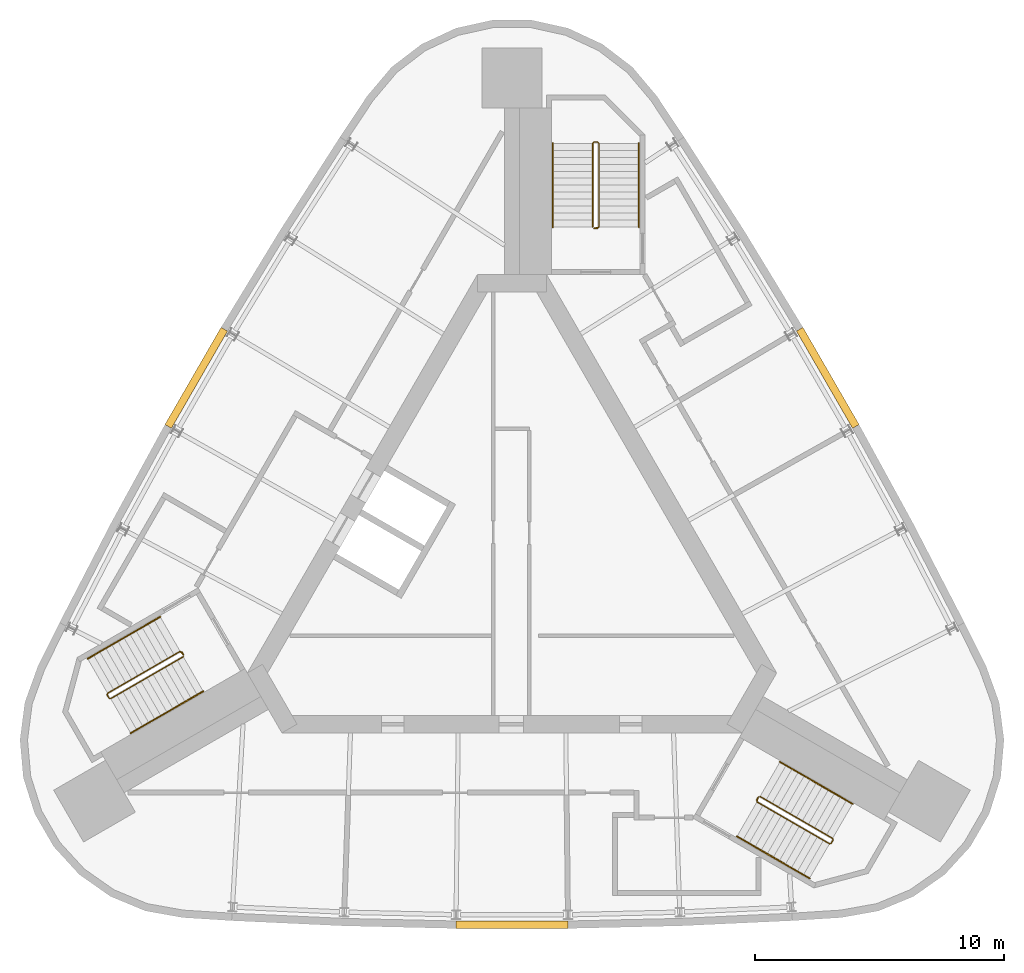
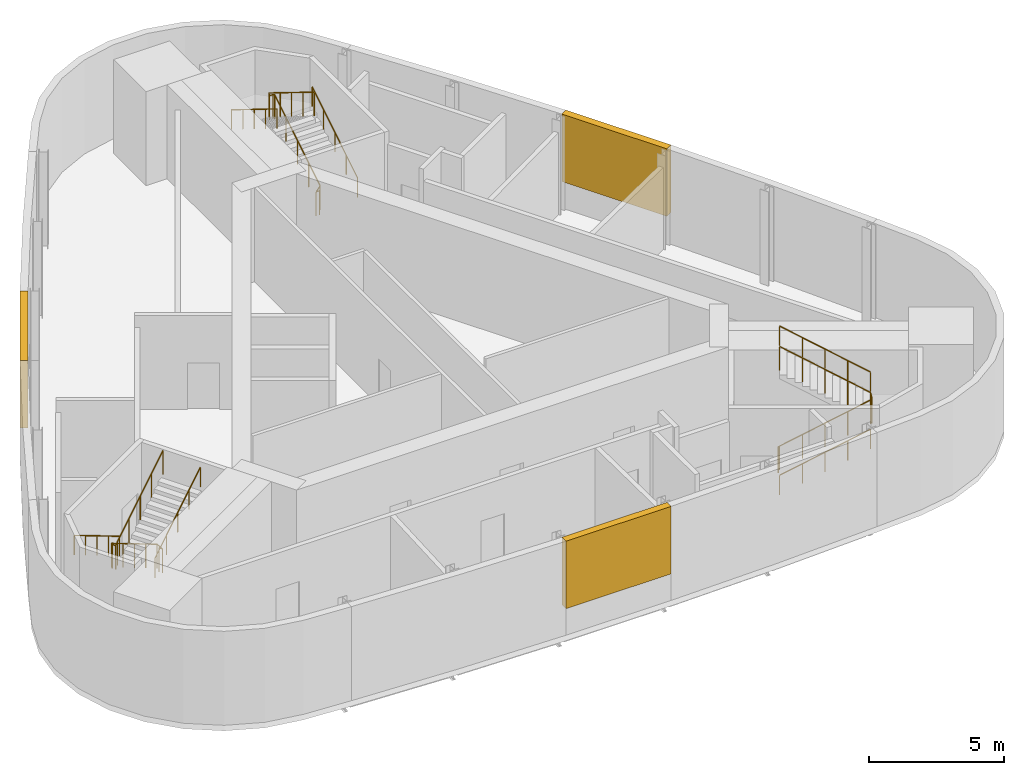
# One storey, part 7 of 7: 9 railings, 3 shading devices.
"""IFC4 building model written with IfcOpenShell, lengths in metres."""

from ifc_helpers import new_model, si_unit, direction, frame, origin, origin_2d, place, context, subcontext, project, spatial, polyline, circle, outline, extrude, material, type_object, element, save


model = new_model("IFC4")

# Units and contexts
model_context = context("Model", 3, precision=1e-05, world=origin(), true_north=direction((0.0, 1.0)))
body_context = subcontext(model_context, "Body", "Model", "MODEL_VIEW")
ifc_project = project(units=[si_unit("LENGTHUNIT", "METRE"), si_unit("AREAUNIT", "SQUARE_METRE"), si_unit("VOLUMEUNIT", "CUBIC_METRE"), si_unit("PLANEANGLEUNIT", "RADIAN"), si_unit("MASSUNIT", "GRAM", prefix="KILO")], contexts=[model_context])

# Site, building, storey
site_placement = place(None, origin())
site = spatial("IfcSite", under=ifc_project, at=site_placement, CompositionType="ELEMENT")
building_placement = place(site_placement, origin())
building = spatial("IfcBuilding", under=site, at=building_placement, Name="Noor Cloister Tower", CompositionType="ELEMENT")
storey_placement = place(building_placement, frame((0.0, 0.0, 288.60009765625)))
storey = spatial("IfcBuildingStorey", under=building, at=storey_placement, Name="L73", CompositionType="ELEMENT", Elevation=288.60009765625)

# Shading devices
ifc_material_1 = material(Name="Aluminium 6063-T6 anodised", Category="aluminium")
shading_device_type = type_object("IfcShadingDeviceType", Name="LOUVRE crown plant air 40 percent free", PredefinedType="USERDEFINED", material=ifc_material_1)
shading_device_1_placement = place(storey_placement, frame((0.0, 0.0, 1.199951171875)))
element("IfcShadingDevice", 1, at=shading_device_1_placement, inside=storey, type_object=shading_device_type, Name="LOUVRE L73 1", ObjectType="LOUVRE", PredefinedType="USERDEFINED", context=body_context, shape_type="SweptSolid", body=[
    extrude(outline(polyline([(-11.669189453125, 9.335205078125), (-13.919189453125, 5.438232421875), (-13.659423828125, 5.288330078125), (-11.409423828125, 9.185302734375), (-11.669189453125, 9.335205078125)])), origin(), (0.0, 0.0, 1.0), 3.050048828125),
])
shading_device_2_placement = place(storey_placement, frame((0.0, 0.0, 1.199951171875)))
element("IfcShadingDevice", 2, at=shading_device_2_placement, inside=storey, type_object=shading_device_type, Name="LOUVRE L73 2", ObjectType="LOUVRE", PredefinedType="USERDEFINED", context=body_context, shape_type="SweptSolid", body=[
    extrude(outline(polyline([(-2.25, -14.7734375), (2.25, -14.7734375), (2.25, -14.473388671875), (-2.25, -14.473388671875), (-2.25, -14.7734375)])), origin(), (0.0, 0.0, 1.0), 3.050048828125),
])
shading_device_3_placement = place(storey_placement, frame((0.0, 0.0, 1.199951171875)))
element("IfcShadingDevice", 3, at=shading_device_3_placement, inside=storey, type_object=shading_device_type, Name="LOUVRE L73 3", ObjectType="LOUVRE", PredefinedType="USERDEFINED", context=body_context, shape_type="SweptSolid", body=[
    extrude(outline(polyline([(13.919189453125, 5.438232421875), (11.669189453125, 9.335205078125), (11.409423828125, 9.185302734375), (13.659423828125, 5.288330078125), (13.919189453125, 5.438232421875)])), origin(), (0.0, 0.0, 1.0), 3.050048828125),
])

# Railings
ifc_material_2 = material(Name="Stainless steel", Category="steel")
railing_type_1 = type_object("IfcRailingType", Name="Stair guard 1100", PredefinedType="GUARDRAIL", material=ifc_material_2)
railing_1_placement = place(storey_placement, frame((3.435546875, 13.306396484375, 0.0)))
element("IfcRailing", 4, at=railing_1_placement, inside=storey, type_object=railing_type_1, Name="Stair guard ST1 L73", PredefinedType="GUARDRAIL", context=body_context, shape_type="SweptSolid", body=[
    extrude(circle(Radius=0.02392578125, at=origin_2d()), frame((0.0, 0.0, 1.076171875), z_axis=(-1.0, 0.0, 0.0), x_axis=(0.0, -1.0, 0.0)), (0.0, 0.0, 1.0), 0.14990234375),
    extrude(circle(Radius=0.02392578125, at=origin_2d()), frame((-0.14990234375, 0.0, 1.076171875), z_axis=(0.742869136974, 0.185944045274, 0.643094283413), x_axis=(-0.242814311512, 0.970072785993, 0.0)), (0.0, 0.0, 1.0), 0.26904296875),
    extrude(circle(Radius=0.02392578125, at=origin_2d()), frame((0.050048828125, 0.050048828125, 1.2490234375), z_axis=(0.0, 0.850606129759, 0.525803396734), x_axis=(-1.0, 0.0, 0.0)), (0.0, 0.0, 1.0), 3.949951171875),
    extrude(circle(Radius=0.02392578125, at=origin_2d()), frame((0.050048828125, 3.409912109375, 3.326171875), z_axis=(-0.707106781187, 0.707106781187, 0.0), x_axis=(-0.707106781187, -0.707106781187, 0.0)), (0.0, 0.0, 1.0), 0.07080078125),
    extrude(circle(Radius=0.02392578125, at=origin_2d()), frame((0.0, 3.4599609375, 3.326171875), z_axis=(-1.0, 0.0, 0.0), x_axis=(0.0, -1.0, 0.0)), (0.0, 0.0, 1.0), 0.14990234375),
    extrude(circle(Radius=0.02392578125, at=origin_2d()), frame((-0.14990234375, 3.4599609375, 3.326171875), z_axis=(-0.267629722418, -0.267629722418, 0.925607186314), x_axis=(0.707106781187, -0.707106781187, 0.0)), (0.0, 0.0, 1.0), 0.18701171875),
    extrude(circle(Radius=0.02392578125, at=origin_2d()), frame((-0.199951171875, 3.409912109375, 3.4990234375), z_axis=(0.0, -0.850606129759, 0.525803396734), x_axis=(1.0, 0.0, 0.0)), (0.0, 0.0, 1.0), 3.949951171875),
    extrude(circle(Radius=0.02099609375, at=origin_2d()), origin(), (0.0, 0.0, 1.0), 1.052001953125),
    extrude(circle(Radius=0.02099609375, at=origin_2d()), frame((-0.14990234375, 0.0, 0.0)), (0.0, 0.0, 1.0), 1.052001953125),
    extrude(circle(Radius=0.02099609375, at=origin_2d()), frame((0.050048828125, 0.050048828125, 0.173095703125)), (0.0, 0.0, 1.0), 1.052001953125),
    extrude(circle(Radius=0.02099609375, at=origin_2d()), frame((0.050048828125, 0.89013671875, 0.6923828125)), (0.0, 0.0, 1.0), 1.052001953125),
    extrude(circle(Radius=0.02099609375, at=origin_2d()), frame((0.050048828125, 1.72998046875, 1.21142578125)), (0.0, 0.0, 1.0), 1.052001953125),
    extrude(circle(Radius=0.02099609375, at=origin_2d()), frame((0.050048828125, 2.56982421875, 1.730712890625)), (0.0, 0.0, 1.0), 1.052001953125),
    extrude(circle(Radius=0.02099609375, at=origin_2d()), frame((0.050048828125, 3.409912109375, 2.25)), (0.0, 0.0, 1.0), 1.052001953125),
    extrude(circle(Radius=0.02099609375, at=origin_2d()), frame((0.0, 3.4599609375, 2.25)), (0.0, 0.0, 1.0), 1.052001953125),
    extrude(circle(Radius=0.02099609375, at=origin_2d()), frame((-0.14990234375, 3.4599609375, 2.25)), (0.0, 0.0, 1.0), 1.052001953125),
    extrude(circle(Radius=0.02099609375, at=origin_2d()), frame((-0.199951171875, 3.409912109375, 2.423095703125)), (0.0, 0.0, 1.0), 1.052001953125),
    extrude(circle(Radius=0.02099609375, at=origin_2d()), frame((-0.199951171875, 2.56982421875, 2.9423828125)), (0.0, 0.0, 1.0), 1.052001953125),
    extrude(circle(Radius=0.02099609375, at=origin_2d()), frame((-0.199951171875, 1.72998046875, 3.46142578125)), (0.0, 0.0, 1.0), 1.052001953125),
    extrude(circle(Radius=0.02099609375, at=origin_2d()), frame((-0.199951171875, 0.89013671875, 3.980712890625)), (0.0, 0.0, 1.0), 1.052001953125),
    extrude(circle(Radius=0.02099609375, at=origin_2d()), frame((-0.199951171875, 0.050048828125, 4.5)), (0.0, 0.0, 1.0), 1.052001953125),
])
railing_2_placement = place(storey_placement, frame((-13.241455078125, -3.677734375, 0.0)))
element("IfcRailing", 5, at=railing_2_placement, inside=storey, type_object=railing_type_1, Name="Stair guard ST2 L73", PredefinedType="GUARDRAIL", context=body_context, shape_type="SweptSolid", body=[
    extrude(circle(Radius=0.02392578125, at=origin_2d()), frame((0.0, 0.0, 1.076171875), z_axis=(0.499112439033, -0.866537231285, 0.0), x_axis=(0.866537231285, 0.499112439033, 0.0)), (0.0, 0.0, 1.0), 0.150146484375),
    extrude(circle(Radius=0.02392578125, at=origin_2d()), frame((0.074951171875, -0.130126953125, 1.076171875), z_axis=(-0.532384093884, 0.550523245294, 0.643032917485), x_axis=(-0.718850276695, -0.695164929852, 0.0)), (0.0, 0.0, 1.0), 0.269287109375),
    extrude(circle(Radius=0.02392578125, at=origin_2d()), frame((-0.068359375, 0.01806640625, 1.2490234375), z_axis=(-0.736667954249, -0.425288379326, 0.525785240943), x_axis=(0.499976138585, -0.866039179741, 0.0)), (0.0, 0.0, 1.0), 3.9501953125),
    extrude(circle(Radius=0.02392578125, at=origin_2d()), frame((-2.978271484375, -1.661865234375, 3.326171875), z_axis=(-0.258736085224, -0.965948051503, 0.0), x_axis=(0.965948051503, -0.258736085224, 0.0)), (0.0, 0.0, 1.0), 0.07080078125),
    extrude(circle(Radius=0.02392578125, at=origin_2d()), frame((-2.99658203125, -1.730224609375, 3.326171875), z_axis=(0.501036270542, -0.865426285481, 0.0), x_axis=(0.865426285481, 0.501036270542, 0.0)), (0.0, 0.0, 1.0), 0.150146484375),
    extrude(circle(Radius=0.02392578125, at=origin_2d()), frame((-2.92138671875, -1.860107421875, 3.326171875), z_axis=(0.364418931161, -0.097962078269, 0.926068179905), x_axis=(0.259601060869, 0.965715946433, 0.0)), (0.0, 0.0, 1.0), 0.18701171875),
    extrude(circle(Radius=0.02392578125, at=origin_2d()), frame((-2.853271484375, -1.87841796875, 3.4990234375), z_axis=(0.736648589954, 0.42533900462, 0.52577141998), x_axis=(-0.500030632641, 0.866007717299, 0.0)), (0.0, 0.0, 1.0), 3.9501953125),
    extrude(circle(Radius=0.02099609375, at=origin_2d()), origin(), (0.0, 0.0, 1.0), 1.052001953125),
    extrude(circle(Radius=0.02099609375, at=origin_2d()), frame((0.074951171875, -0.130126953125, 0.0)), (0.0, 0.0, 1.0), 1.052001953125),
    extrude(circle(Radius=0.02099609375, at=origin_2d()), frame((-0.068359375, 0.01806640625, 0.173095703125)), (0.0, 0.0, 1.0), 1.052001953125),
    extrude(circle(Radius=0.02099609375, at=origin_2d()), frame((-0.7958984375, -0.40185546875, 0.6923828125)), (0.0, 0.0, 1.0), 1.052001953125),
    extrude(circle(Radius=0.02099609375, at=origin_2d()), frame((-1.5234375, -0.82177734375, 1.21142578125)), (0.0, 0.0, 1.0), 1.052001953125),
    extrude(circle(Radius=0.02099609375, at=origin_2d()), frame((-2.250732421875, -1.241943359375, 1.730712890625)), (0.0, 0.0, 1.0), 1.052001953125),
    extrude(circle(Radius=0.02099609375, at=origin_2d()), frame((-2.978271484375, -1.661865234375, 2.25)), (0.0, 0.0, 1.0), 1.052001953125),
    extrude(circle(Radius=0.02099609375, at=origin_2d()), frame((-2.99658203125, -1.730224609375, 2.25)), (0.0, 0.0, 1.0), 1.052001953125),
    extrude(circle(Radius=0.02099609375, at=origin_2d()), frame((-2.92138671875, -1.860107421875, 2.25)), (0.0, 0.0, 1.0), 1.052001953125),
    extrude(circle(Radius=0.02099609375, at=origin_2d()), frame((-2.853271484375, -1.87841796875, 2.423095703125)), (0.0, 0.0, 1.0), 1.052001953125),
    extrude(circle(Radius=0.02099609375, at=origin_2d()), frame((-2.125732421875, -1.45849609375, 2.9423828125)), (0.0, 0.0, 1.0), 1.052001953125),
    extrude(circle(Radius=0.02099609375, at=origin_2d()), frame((-1.3984375, -1.038330078125, 3.46142578125)), (0.0, 0.0, 1.0), 1.052001953125),
    extrude(circle(Radius=0.02099609375, at=origin_2d()), frame((-0.6708984375, -0.6181640625, 3.980712890625)), (0.0, 0.0, 1.0), 1.052001953125),
    extrude(circle(Radius=0.02099609375, at=origin_2d()), frame((0.056640625, -0.1982421875, 4.5)), (0.0, 0.0, 1.0), 1.052001953125),
])
railing_3_placement = place(storey_placement, frame((9.805908203125, -9.628662109375, 0.0)))
element("IfcRailing", 6, at=railing_3_placement, inside=storey, type_object=railing_type_1, Name="Stair guard ST3 L73", PredefinedType="GUARDRAIL", context=body_context, shape_type="SweptSolid", body=[
    extrude(circle(Radius=0.02392578125, at=origin_2d()), frame((0.0, 0.0, 1.076171875), z_axis=(0.499112439033, 0.866537231285, 0.0), x_axis=(-0.866537231285, 0.499112439033, 0.0)), (0.0, 0.0, 1.0), 0.150146484375),
    extrude(circle(Radius=0.02392578125, at=origin_2d()), frame((0.074951171875, 0.130126953125, 1.076171875), z_axis=(-0.210401176497, -0.736404117741, 0.642993250589), x_axis=(0.961523947641, -0.274721127897, 0.0)), (0.0, 0.0, 1.0), 0.269287109375),
    extrude(circle(Radius=0.02392578125, at=origin_2d()), frame((0.018310546875, -0.068115234375, 1.2490234375), z_axis=(0.736648589954, -0.42533900462, 0.52577141998), x_axis=(0.500030632641, 0.866007717299, 0.0)), (0.0, 0.0, 1.0), 3.9501953125),
    extrude(circle(Radius=0.02392578125, at=origin_2d()), frame((2.92822265625, -1.748291015625, 3.326171875), z_axis=(0.965715946433, 0.259601060869, 0.0), x_axis=(-0.259601060869, 0.965715946433, 0.0)), (0.0, 0.0, 1.0), 0.070556640625),
    extrude(circle(Radius=0.02392578125, at=origin_2d()), frame((2.996337890625, -1.72998046875, 3.326171875), z_axis=(0.499816412211, 0.866131372301, 0.0), x_axis=(-0.866131372301, 0.499816412211, 0.0)), (0.0, 0.0, 1.0), 0.14990234375),
    extrude(circle(Radius=0.02392578125, at=origin_2d()), frame((3.0712890625, -1.60009765625, 3.326171875), z_axis=(-0.096622130353, 0.365597249983, 0.925744465136), x_axis=(-0.966805641264, -0.255512919477, 0.0)), (0.0, 0.0, 1.0), 0.18701171875),
    extrude(circle(Radius=0.02392578125, at=origin_2d()), frame((3.05322265625, -1.53173828125, 3.4990234375), z_axis=(-0.736667954249, 0.425288379326, 0.525785240943), x_axis=(-0.499976138585, -0.866039179741, 0.0)), (0.0, 0.0, 1.0), 3.9501953125),
    extrude(circle(Radius=0.02099609375, at=origin_2d()), origin(), (0.0, 0.0, 1.0), 1.052001953125),
    extrude(circle(Radius=0.02099609375, at=origin_2d()), frame((0.074951171875, 0.130126953125, 0.0)), (0.0, 0.0, 1.0), 1.052001953125),
    extrude(circle(Radius=0.02099609375, at=origin_2d()), frame((0.018310546875, -0.068115234375, 0.173095703125)), (0.0, 0.0, 1.0), 1.052001953125),
    extrude(circle(Radius=0.02099609375, at=origin_2d()), frame((0.745849609375, -0.48828125, 0.6923828125)), (0.0, 0.0, 1.0), 1.052001953125),
    extrude(circle(Radius=0.02099609375, at=origin_2d()), frame((1.47314453125, -0.908203125, 1.21142578125)), (0.0, 0.0, 1.0), 1.052001953125),
    extrude(circle(Radius=0.02099609375, at=origin_2d()), frame((2.20068359375, -1.328125, 1.730712890625)), (0.0, 0.0, 1.0), 1.052001953125),
    extrude(circle(Radius=0.02099609375, at=origin_2d()), frame((2.92822265625, -1.748291015625, 2.25)), (0.0, 0.0, 1.0), 1.052001953125),
    extrude(circle(Radius=0.02099609375, at=origin_2d()), frame((2.996337890625, -1.72998046875, 2.25)), (0.0, 0.0, 1.0), 1.052001953125),
    extrude(circle(Radius=0.02099609375, at=origin_2d()), frame((3.0712890625, -1.60009765625, 2.25)), (0.0, 0.0, 1.0), 1.052001953125),
    extrude(circle(Radius=0.02099609375, at=origin_2d()), frame((3.05322265625, -1.53173828125, 2.423095703125)), (0.0, 0.0, 1.0), 1.052001953125),
    extrude(circle(Radius=0.02099609375, at=origin_2d()), frame((2.32568359375, -1.11181640625, 2.9423828125)), (0.0, 0.0, 1.0), 1.052001953125),
    extrude(circle(Radius=0.02099609375, at=origin_2d()), frame((1.59814453125, -0.69189453125, 3.46142578125)), (0.0, 0.0, 1.0), 1.052001953125),
    extrude(circle(Radius=0.02099609375, at=origin_2d()), frame((0.870849609375, -0.271728515625, 3.980712890625)), (0.0, 0.0, 1.0), 1.052001953125),
    extrude(circle(Radius=0.02099609375, at=origin_2d()), frame((0.143310546875, 0.148193359375, 4.5)), (0.0, 0.0, 1.0), 1.052001953125),
])
ifc_material_3 = material(Name="Stainless steel", Category="steel")
railing_type_2 = type_object("IfcRailingType", Name="Stair handrail 900", PredefinedType="HANDRAIL", material=ifc_material_3)
railing_4_placement = place(storey_placement, frame((5.085693359375, 13.3564453125, 0.173095703125)))
element("IfcRailing", 7, at=railing_4_placement, inside=storey, type_object=railing_type_2, Name="Stair handrail ST1 L73 1", PredefinedType="HANDRAIL", context=body_context, shape_type="SweptSolid", body=[
    extrude(circle(Radius=0.02392578125, at=origin_2d()), frame((0.0, 0.0, 0.8759765625), z_axis=(0.0, 0.850606129759, 0.525803396734), x_axis=(-1.0, 0.0, 0.0)), (0.0, 0.0, 1.0), 3.949951171875),
    extrude(circle(Radius=0.02099609375, at=origin_2d()), origin(), (0.0, 0.0, 1.0), 0.851806640625),
    extrude(circle(Radius=0.02099609375, at=origin_2d()), frame((0.0, 0.83984375, 0.519287109375)), (0.0, 0.0, 1.0), 0.851806640625),
    extrude(circle(Radius=0.02099609375, at=origin_2d()), frame((0.0, 1.679931640625, 1.03857421875)), (0.0, 0.0, 1.0), 0.851806640625),
    extrude(circle(Radius=0.02099609375, at=origin_2d()), frame((0.0, 2.52001953125, 1.5576171875)), (0.0, 0.0, 1.0), 0.851806640625),
    extrude(circle(Radius=0.02099609375, at=origin_2d()), frame((0.0, 3.35986328125, 2.076904296875)), (0.0, 0.0, 1.0), 0.851806640625),
])
railing_5_placement = place(storey_placement, frame((1.6357421875, 16.71630859375, 2.423095703125)))
element("IfcRailing", 8, at=railing_5_placement, inside=storey, type_object=railing_type_2, Name="Stair handrail ST1 L73 2", PredefinedType="HANDRAIL", context=body_context, shape_type="SweptSolid", body=[
    extrude(circle(Radius=0.02392578125, at=origin_2d()), frame((0.0, 0.0, 0.8759765625), z_axis=(0.0, -0.850606129759, 0.525803396734), x_axis=(1.0, 0.0, 0.0)), (0.0, 0.0, 1.0), 3.949951171875),
    extrude(circle(Radius=0.02099609375, at=origin_2d()), origin(), (0.0, 0.0, 1.0), 0.851806640625),
    extrude(circle(Radius=0.02099609375, at=origin_2d()), frame((0.0, -0.83984375, 0.519287109375)), (0.0, 0.0, 1.0), 0.851806640625),
    extrude(circle(Radius=0.02099609375, at=origin_2d()), frame((0.0, -1.679931640625, 1.03857421875)), (0.0, 0.0, 1.0), 0.851806640625),
    extrude(circle(Radius=0.02099609375, at=origin_2d()), frame((0.0, -2.52001953125, 1.5576171875)), (0.0, 0.0, 1.0), 0.851806640625),
    extrude(circle(Radius=0.02099609375, at=origin_2d()), frame((0.0, -3.35986328125, 2.076904296875)), (0.0, 0.0, 1.0), 0.851806640625),
])
railing_6_placement = place(storey_placement, frame((-14.10986328125, -2.27392578125, 0.173095703125)))
element("IfcRailing", 9, at=railing_6_placement, inside=storey, type_object=railing_type_2, Name="Stair handrail ST2 L73 1", PredefinedType="HANDRAIL", context=body_context, shape_type="SweptSolid", body=[
    extrude(circle(Radius=0.02392578125, at=origin_2d()), frame((0.0, 0.0, 0.8759765625), z_axis=(-0.736639687092, -0.425307743487, 0.525809180911), x_axis=(0.500007602105, -0.866021014662, 0.0)), (0.0, 0.0, 1.0), 3.949951171875),
    extrude(circle(Radius=0.02099609375, at=origin_2d()), origin(), (0.0, 0.0, 1.0), 0.851806640625),
    extrude(circle(Radius=0.02099609375, at=origin_2d()), frame((-0.7275390625, -0.419921875, 0.519287109375)), (0.0, 0.0, 1.0), 0.851806640625),
    extrude(circle(Radius=0.02099609375, at=origin_2d()), frame((-1.454833984375, -0.83984375, 1.03857421875)), (0.0, 0.0, 1.0), 0.851806640625),
    extrude(circle(Radius=0.02099609375, at=origin_2d()), frame((-2.18212890625, -1.260009765625, 1.5576171875)), (0.0, 0.0, 1.0), 0.851806640625),
    extrude(circle(Radius=0.02099609375, at=origin_2d()), frame((-2.90966796875, -1.679931640625, 2.076904296875)), (0.0, 0.0, 1.0), 0.851806640625),
])
railing_7_placement = place(storey_placement, frame((-15.294677734375, -6.941650390625, 2.423095703125)))
element("IfcRailing", 10, at=railing_7_placement, inside=storey, type_object=railing_type_2, Name="Stair handrail ST2 L73 2", PredefinedType="HANDRAIL", context=body_context, shape_type="SweptSolid", body=[
    extrude(circle(Radius=0.02392578125, at=origin_2d()), frame((0.0, 0.0, 0.8759765625), z_axis=(0.736667954249, 0.425288379326, 0.525785240943), x_axis=(-0.499976138585, 0.866039179741, 0.0)), (0.0, 0.0, 1.0), 3.9501953125),
    extrude(circle(Radius=0.02099609375, at=origin_2d()), origin(), (0.0, 0.0, 1.0), 0.851806640625),
    extrude(circle(Radius=0.02099609375, at=origin_2d()), frame((0.7275390625, 0.419921875, 0.519287109375)), (0.0, 0.0, 1.0), 0.851806640625),
    extrude(circle(Radius=0.02099609375, at=origin_2d()), frame((1.455078125, 0.83984375, 1.03857421875)), (0.0, 0.0, 1.0), 0.851806640625),
    extrude(circle(Radius=0.02099609375, at=origin_2d()), frame((2.182373046875, 1.260009765625, 1.5576171875)), (0.0, 0.0, 1.0), 0.851806640625),
    extrude(circle(Radius=0.02099609375, at=origin_2d()), frame((2.909912109375, 1.679931640625, 2.076904296875)), (0.0, 0.0, 1.0), 0.851806640625),
])
railing_8_placement = place(storey_placement, frame((9.024169921875, -11.08251953125, 0.173095703125)))
element("IfcRailing", 11, at=railing_8_placement, inside=storey, type_object=railing_type_2, Name="Stair handrail ST3 L73 1", PredefinedType="HANDRAIL", context=body_context, shape_type="SweptSolid", body=[
    extrude(circle(Radius=0.02392578125, at=origin_2d()), frame((0.0, 0.0, 0.8759765625), z_axis=(0.736667954249, -0.425288379326, 0.525785240943), x_axis=(0.499976138585, 0.866039179741, 0.0)), (0.0, 0.0, 1.0), 3.9501953125),
    extrude(circle(Radius=0.02099609375, at=origin_2d()), origin(), (0.0, 0.0, 1.0), 0.851806640625),
    extrude(circle(Radius=0.02099609375, at=origin_2d()), frame((0.7275390625, -0.419921875, 0.519287109375)), (0.0, 0.0, 1.0), 0.851806640625),
    extrude(circle(Radius=0.02099609375, at=origin_2d()), frame((1.455078125, -0.83984375, 1.03857421875)), (0.0, 0.0, 1.0), 0.851806640625),
    extrude(circle(Radius=0.02099609375, at=origin_2d()), frame((2.182373046875, -1.260009765625, 1.5576171875)), (0.0, 0.0, 1.0), 0.851806640625),
    extrude(circle(Radius=0.02099609375, at=origin_2d()), frame((2.909912109375, -1.679931640625, 2.076904296875)), (0.0, 0.0, 1.0), 0.851806640625),
])
railing_9_placement = place(storey_placement, frame((13.658935546875, -9.774658203125, 2.423095703125)))
element("IfcRailing", 12, at=railing_9_placement, inside=storey, type_object=railing_type_2, Name="Stair handrail ST3 L73 2", PredefinedType="HANDRAIL", context=body_context, shape_type="SweptSolid", body=[
    extrude(circle(Radius=0.02392578125, at=origin_2d()), frame((0.0, 0.0, 0.8759765625), z_axis=(-0.736639687092, 0.425307743487, 0.525809180911), x_axis=(-0.500007602105, -0.866021014662, 0.0)), (0.0, 0.0, 1.0), 3.949951171875),
    extrude(circle(Radius=0.02099609375, at=origin_2d()), origin(), (0.0, 0.0, 1.0), 0.851806640625),
    extrude(circle(Radius=0.02099609375, at=origin_2d()), frame((-0.7275390625, 0.419921875, 0.519287109375)), (0.0, 0.0, 1.0), 0.851806640625),
    extrude(circle(Radius=0.02099609375, at=origin_2d()), frame((-1.454833984375, 0.83984375, 1.03857421875)), (0.0, 0.0, 1.0), 0.851806640625),
    extrude(circle(Radius=0.02099609375, at=origin_2d()), frame((-2.18212890625, 1.260009765625, 1.5576171875)), (0.0, 0.0, 1.0), 0.851806640625),
    extrude(circle(Radius=0.02099609375, at=origin_2d()), frame((-2.90966796875, 1.679931640625, 2.076904296875)), (0.0, 0.0, 1.0), 0.851806640625),
])

save(model, "model.ifc")
